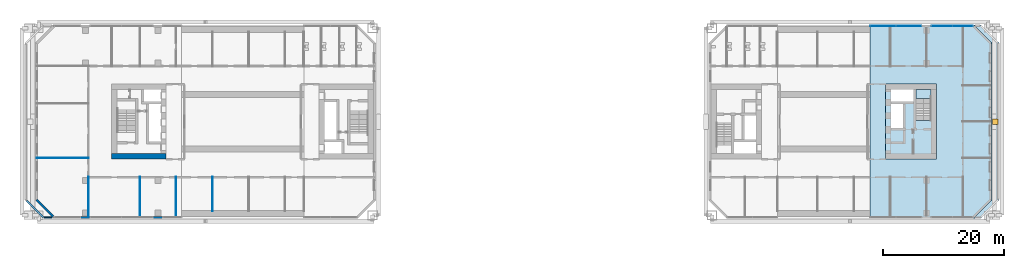
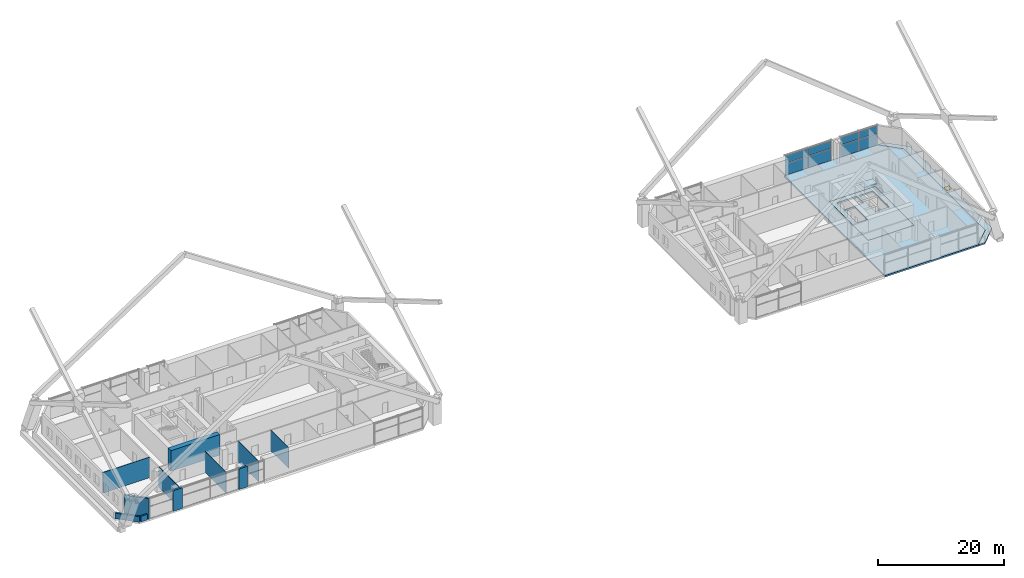
# One storey, part 16 of 25: 11 walls, 8 plates, 4 slabs, 1 window, 1 opening, 3 elements without a shape of their own.
"""IFC4 building model written with IfcOpenShell, lengths in metres."""

from ifc_helpers import new_model, si_unit, direction, frame, frame_2d, origin, origin_2d, place, context, subcontext, project, spatial, polyline, rectangle, outline, extrude, material, layer, layer_set, type_object, element, fill, aggregate, save


model = new_model("IFC4")

# Units and contexts
model_context = context("Model", 3, precision=1e-05, world=origin(), true_north=direction((0.0, 1.0)))
body_context = subcontext(model_context, "Body", "Model", "MODEL_VIEW")
ifc_project = project(units=[si_unit("LENGTHUNIT", "METRE"), si_unit("AREAUNIT", "SQUARE_METRE"), si_unit("VOLUMEUNIT", "CUBIC_METRE"), si_unit("PLANEANGLEUNIT", "RADIAN"), si_unit("MASSUNIT", "GRAM", prefix="KILO")], contexts=[model_context])

# Site, building, storey
site_placement = place(None, origin())
site = spatial("IfcSite", under=ifc_project, at=site_placement, CompositionType="ELEMENT")
building_placement = place(site_placement, origin())
building = spatial("IfcBuilding", under=site, at=building_placement, Name="Tuart Gate Housing", CompositionType="ELEMENT")
storey_placement = place(building_placement, frame((0.0, 0.0, 14.699951171875)))
storey = spatial("IfcBuildingStorey", under=building, at=storey_placement, Name="L03", CompositionType="ELEMENT", Elevation=14.699951171875)

# Slabs
ifc_material_1 = material(Name="Concrete C40", Category="concrete")
ifc_layer_1 = layer(ifc_material_1, 0.300048828125)
ifc_layer_set_1 = layer_set([ifc_layer_1], Name="Core floor slab 300")
slab_type_1 = type_object("IfcSlabType", Name="Core floor slab 300", PredefinedType="FLOOR", material=ifc_layer_set_1)
slab_1_placement = place(storey_placement, frame((0.0, 0.0, -0.300048828125)))
element("IfcSlab", 1, at=slab_1_placement, inside=storey, type_object=slab_type_1, Name="Core floor BK", PredefinedType="FLOOR", context=body_context, shape_type="SweptSolid", body=[
    extrude(outline(polyline([(160.239990234375, 63.800048828125), (168.639892578125, 63.800048828125), (168.639892578125, 76.199951171875), (160.239990234375, 76.199951171875), (160.239990234375, 63.800048828125)]), holes=[polyline([(161.139892578125, 73.14990234375), (164.840087890625, 73.14990234375), (164.840087890625, 75.300048828125), (161.139892578125, 75.300048828125), (161.139892578125, 73.14990234375)]), polyline([(161.139892578125, 68.949951171875), (163.090087890625, 68.949951171875), (163.090087890625, 72.949951171875), (161.139892578125, 72.949951171875), (161.139892578125, 68.949951171875)]), polyline([(165.239990234375, 70.219970703125), (167.739990234375, 70.219970703125), (167.739990234375, 75.300048828125), (165.239990234375, 75.300048828125), (165.239990234375, 70.219970703125)])]), origin(), (0.0, 0.0, 1.0), 0.300048828125),
])
ifc_material_2 = material(Name="Concrete C40", Category="concrete")
ifc_layer_2 = layer(ifc_material_2, 0.300048828125)
ifc_layer_set_2 = layer_set([ifc_layer_2], Name="Flat plate 300")
slab_type_2 = type_object("IfcSlabType", Name="Flat plate 300", PredefinedType="FLOOR", material=ifc_layer_set_2)
slab_2_placement = place(storey_placement, frame((0.0, 0.0, -0.300048828125)))
element("IfcSlab", 2, at=slab_2_placement, inside=storey, type_object=slab_type_2, Name="Floor slab B east of the arch L03", PredefinedType="FLOOR", context=body_context, shape_type="SweptSolid", body=[
    extrude(outline(polyline([(174.75, 86.0), (157.64990234375, 86.0), (157.64990234375, 54.0), (174.75, 54.0), (177.75, 57.0), (177.75, 83.0), (174.75, 86.0)]), holes=[polyline([(160.239990234375, 76.199951171875), (168.639892578125, 76.199951171875), (168.639892578125, 63.800048828125), (160.239990234375, 63.800048828125), (160.239990234375, 76.199951171875)])]), origin(), (0.0, 0.0, 1.0), 0.300048828125),
])

# Curtain wall, plates
ifc_material_3 = material(Name="Aluminium and clear glass", Category="aluminium")
curtain_wall_type = type_object("IfcCurtainWallType", Name="Community floor glazing", PredefinedType="USERDEFINED", material=ifc_material_3)
curtain_wall_1_placement = place(storey_placement, origin())
curtain_wall_1 = element("IfcCurtainWall", 3, at=curtain_wall_1_placement, inside=storey, type_object=curtain_wall_type, Name="Community floor glazing B-N L03", ObjectType="COMMUNITY FLOOR GLAZING", PredefinedType="USERDEFINED")
ifc_material_4 = material(Name="Clear glass", Category="glass")
ifc_layer_3 = layer(ifc_material_4, 0.028076171875)
ifc_layer_set_3 = layer_set([ifc_layer_3], Name="Glazed panel 28")
plate_type = type_object("IfcPlateType", Name="Glazed panel 28", PredefinedType="CURTAIN_PANEL", material=ifc_layer_set_3)
plate_1_placement = place(storey_placement, frame((172.941650390625, 85.820068359375, 0.1201171875), z_axis=(0.0, 0.0, 1.0), x_axis=(-1.0, 0.0, 0.0)))
plate_1 = element("IfcPlate", 4, at=plate_1_placement, type_object=plate_type, Name="CW3 panel 1.1", PredefinedType="CURTAIN_PANEL", context=body_context, shape_type="SweptSolid", body=[
    extrude(rectangle(XDim=3.34765625, YDim=0.028076171875, at=origin_2d()), origin(), (0.0, 0.0, 1.0), 2.219970703125),
])
plate_2_placement = place(storey_placement, frame((172.941650390625, 85.820068359375, 2.460205078125), z_axis=(0.0, 0.0, 1.0), x_axis=(-1.0, 0.0, 0.0)))
plate_2 = element("IfcPlate", 5, at=plate_2_placement, type_object=plate_type, Name="CW3 panel 1.2", PredefinedType="CURTAIN_PANEL", context=body_context, shape_type="SweptSolid", body=[
    extrude(rectangle(XDim=3.34765625, YDim=0.028076171875, at=origin_2d()), origin(), (0.0, 0.0, 1.0), 1.419921875),
])
plate_3_placement = place(storey_placement, frame((169.533935546875, 85.820068359375, 0.1201171875), z_axis=(0.0, 0.0, 1.0), x_axis=(-1.0, 0.0, 0.0)))
plate_3 = element("IfcPlate", 6, at=plate_3_placement, type_object=plate_type, Name="CW3 panel 2.1", PredefinedType="CURTAIN_PANEL", context=body_context, shape_type="SweptSolid", body=[
    extrude(rectangle(XDim=3.34765625, YDim=0.028076171875, at=origin_2d()), origin(), (0.0, 0.0, 1.0), 2.219970703125),
])
plate_4_placement = place(storey_placement, frame((169.533935546875, 85.820068359375, 2.460205078125), z_axis=(0.0, 0.0, 1.0), x_axis=(-1.0, 0.0, 0.0)))
plate_4 = element("IfcPlate", 7, at=plate_4_placement, type_object=plate_type, Name="CW3 panel 2.2", PredefinedType="CURTAIN_PANEL", context=body_context, shape_type="SweptSolid", body=[
    extrude(rectangle(XDim=3.34765625, YDim=0.028076171875, at=origin_2d()), origin(), (0.0, 0.0, 1.0), 1.419921875),
])
aggregate(curtain_wall_1, [plate_1, plate_2, plate_3, plate_4])

curtain_wall_2_placement = place(storey_placement, origin())
curtain_wall_2 = element("IfcCurtainWall", 8, at=curtain_wall_2_placement, inside=storey, type_object=curtain_wall_type, Name="Community floor glazing B-N L03", ObjectType="COMMUNITY FLOOR GLAZING", PredefinedType="USERDEFINED")
plate_5_placement = place(storey_placement, frame((164.047607421875, 85.820068359375, 0.1201171875), z_axis=(0.0, 0.0, 1.0), x_axis=(-1.0, 0.0, 0.0)))
plate_5 = element("IfcPlate", 9, at=plate_5_placement, type_object=plate_type, Name="CW3 panel 1.1", PredefinedType="CURTAIN_PANEL", context=body_context, shape_type="SweptSolid", body=[
    extrude(rectangle(XDim=4.18505859375, YDim=0.028076171875, at=origin_2d()), origin(), (0.0, 0.0, 1.0), 2.219970703125),
])
plate_6_placement = place(storey_placement, frame((164.047607421875, 85.820068359375, 2.460205078125), z_axis=(0.0, 0.0, 1.0), x_axis=(-1.0, 0.0, 0.0)))
plate_6 = element("IfcPlate", 10, at=plate_6_placement, type_object=plate_type, Name="CW3 panel 1.2", PredefinedType="CURTAIN_PANEL", context=body_context, shape_type="SweptSolid", body=[
    extrude(rectangle(XDim=4.18505859375, YDim=0.028076171875, at=origin_2d()), origin(), (0.0, 0.0, 1.0), 1.419921875),
])
plate_7_placement = place(storey_placement, frame((159.802490234375, 85.820068359375, 0.1201171875), z_axis=(0.0, 0.0, 1.0), x_axis=(-1.0, 0.0, 0.0)))
plate_7 = element("IfcPlate", 11, at=plate_7_placement, type_object=plate_type, Name="CW3 panel 2.1", PredefinedType="CURTAIN_PANEL", context=body_context, shape_type="SweptSolid", body=[
    extrude(rectangle(XDim=4.18505859375, YDim=0.028076171875, at=origin_2d()), origin(), (0.0, 0.0, 1.0), 2.219970703125),
])
plate_8_placement = place(storey_placement, frame((159.802490234375, 85.820068359375, 2.460205078125), z_axis=(0.0, 0.0, 1.0), x_axis=(-1.0, 0.0, 0.0)))
plate_8 = element("IfcPlate", 12, at=plate_8_placement, type_object=plate_type, Name="CW3 panel 2.2", PredefinedType="CURTAIN_PANEL", context=body_context, shape_type="SweptSolid", body=[
    extrude(rectangle(XDim=4.18505859375, YDim=0.028076171875, at=origin_2d()), origin(), (0.0, 0.0, 1.0), 1.419921875),
])
aggregate(curtain_wall_2, [plate_5, plate_6, plate_7, plate_8])

# Slab, opening, window
ifc_material_5 = material(Name="Concrete C40", Category="concrete")
ifc_layer_4 = layer(ifc_material_5, 0.300048828125)
ifc_layer_set_4 = layer_set([ifc_layer_4], Name="Roof slab 300")
slab_type_3 = type_object("IfcSlabType", Name="Roof slab 300", PredefinedType="ROOF", material=ifc_layer_set_4)
slab_3_placement = place(storey_placement, frame((0.0, 0.0, -0.300048828125)))
slab_3 = element("IfcSlab", 13, at=slab_3_placement, inside=storey, type_object=slab_type_3, Name="Setback roof slab B L03", PredefinedType="ROOF", context=body_context, shape_type="SweptSolid", body=[
    extrude(outline(polyline([(176.0, 86.0), (174.75, 86.0), (177.75, 83.0), (177.75, 57.0), (174.75, 54.0), (176.0, 54.0), (179.0, 57.0), (179.0, 83.0), (176.0, 86.0)])), origin(), (0.0, 0.0, 1.0), 0.300048828125),
])
opening_placement = place(slab_3_placement, frame((178.375, 70.0, 0.0)))
opening = element("IfcOpeningElement", 14, at=opening_placement, cuts=slab_3, Name="Opening RH1", PredefinedType="OPENING", context=body_context, shape_type="SweptSolid", body=[
    extrude(rectangle(XDim=0.89990234375, YDim=0.89990234375, at=origin_2d()), frame((0.0, 0.0, -0.010009765625)), (0.0, 0.0, 1.0), 0.320068359375),
])
ifc_material_6 = material(Name="Aluminium frame with clear glass", Category="aluminium")
window_type = type_object("IfcWindowType", Name="Roof hatch 900 x 900", PartitioningType="SINGLE_PANEL", PredefinedType="SKYLIGHT", material=ifc_material_6)
window_placement = place(opening_placement, frame((0.0, 0.0, 0.25)))
window = element("IfcWindow", 15, at=window_placement, inside=storey, type_object=window_type, Name="Roof hatch", OverallHeight=0.89990234375, OverallWidth=0.89990234375, PartitioningType="SINGLE_PANEL", PredefinedType="SKYLIGHT", context=body_context, shape_type="SweptSolid", body=[
    extrude(rectangle(XDim=0.89990234375, YDim=0.89990234375, at=origin_2d()), origin(), (0.0, 0.0, 1.0), 0.050048828125),
])
fill(opening, window)

# Stair, slab
ifc_material_7 = material(Name="Concrete C40", Category="concrete")
stair_type = type_object("IfcStairType", Name="Core stair 1250", PredefinedType="HALF_TURN_STAIR", material=ifc_material_7)
stair_placement = place(storey_placement, origin())
stair = element("IfcStair", 16, at=stair_placement, inside=storey, type_object=stair_type, Name="Stair SB2", PredefinedType="HALF_TURN_STAIR")
ifc_material_8 = material(Name="Concrete C40", Category="concrete")
ifc_layer_5 = layer(ifc_material_8, 0.199951171875)
ifc_layer_set_5 = layer_set([ifc_layer_5], Name="Stair landing 200")
slab_type_4 = type_object("IfcSlabType", Name="Stair landing 200", PredefinedType="LANDING", material=ifc_layer_set_5)
slab_4_placement = place(storey_placement, frame((0.0, 0.0, 2.199951171875)))
slab_4 = element("IfcSlab", 17, at=slab_4_placement, type_object=slab_type_4, Name="SB2 landing 1", PredefinedType="LANDING", context=body_context, shape_type="SweptSolid", body=[
    extrude(outline(polyline([(165.239990234375, 73.840087890625), (167.739990234375, 73.840087890625), (167.739990234375, 75.300048828125), (165.239990234375, 75.300048828125), (165.239990234375, 73.840087890625)])), origin(), (0.0, 0.0, 1.0), 0.2001953125),
])
aggregate(stair, [slab_4])

# Walls
ifc_material_9 = material(Name="Brick", Category="masonry")
ifc_layer_6 = layer(ifc_material_9, 0.300048828125)
ifc_layer_set_6 = layer_set([ifc_layer_6], Name="Brick parapet wall 300")
wall_type_1 = type_object("IfcWallType", Name="Brick parapet wall 300", PredefinedType="PARAPET", material=ifc_layer_set_6)
wall_1_placement = place(storey_placement, frame((18.257568359375, 56.95458984375, 0.0), z_axis=(0.0, 0.0, 1.0), x_axis=(0.70707600329, -0.707137557743, 0.0)))
element("IfcWall", 18, at=wall_1_placement, inside=storey, type_object=wall_type_1, Name="Roof parapet A 4", PredefinedType="PARAPET", context=body_context, shape_type="SweptSolid", body=[
    extrude(rectangle(XDim=3.96630859375, YDim=0.300048828125, at=frame_2d((1.983154296875, 0.0))), origin(), (0.0, 0.0, 1.0), 1.10009765625),
])
wall_2_placement = place(storey_placement, frame((21.214111328125, 54.14990234375, 0.0), z_axis=(0.0, 0.0, 1.0), x_axis=(1.0, 0.0, 0.0)))
element("IfcWall", 19, at=wall_2_placement, inside=storey, type_object=wall_type_1, Name="Roof parapet A 5", PredefinedType="PARAPET", context=body_context, shape_type="SweptSolid", body=[
    extrude(rectangle(XDim=1.23583984375, YDim=0.300048828125, at=frame_2d((0.617919921875, 0.0))), origin(), (0.0, 0.0, 1.0), 1.10009765625),
])
ifc_material_10 = material(Name="Brick", Category="masonry")
ifc_layer_7 = layer(ifc_material_10, 0.360107421875)
ifc_layer_set_7 = layer_set([ifc_layer_7], Name="Brick pier and spandrel wall 360")
wall_type_2 = type_object("IfcWallType", Name="Brick pier and spandrel wall 360", PredefinedType="STANDARD", material=ifc_layer_set_7)
wall_3_placement = place(storey_placement, frame((19.929931640625, 57.07470703125, 0.0), z_axis=(0.0, 0.0, 1.0), x_axis=(0.707106781187, -0.707106781187, 0.0)))
element("IfcWall", 20, at=wall_3_placement, inside=storey, type_object=wall_type_2, Name="External wall A-SW L03", PredefinedType="STANDARD", context=body_context, shape_type="SweptSolid", body=[
    extrude(rectangle(XDim=4.09375, YDim=0.360107421875, at=frame_2d((2.046875, 0.0))), origin(), (0.0, 0.0, 1.0), 4.0),
])
for number, where, z_axis, x_axis, name in (
    (21, (27.199951171875, 54.179931640625, 0.0), (0.0, 0.0, 1.0), (1.0, 0.0, 0.0), "External wall A-S L03"),
    (22, (39.199951171875, 54.179931640625, 0.0), (0.0, 0.0, 1.0), (1.0, 0.0, 0.0), "External wall A-S L03"),
):
    element("IfcWall", number, at=place(storey_placement, frame(where, z_axis=z_axis, x_axis=x_axis)), inside=storey, type_object=wall_type_2, Name=name, PredefinedType="STANDARD", context=body_context, shape_type="SweptSolid", body=[
        extrude(rectangle(XDim=1.60009765625, YDim=0.360107421875, at=frame_2d((0.800048828125, 0.0))), origin(), (0.0, 0.0, 1.0), 4.0),
    ])
ifc_material_11 = material(Name="Concrete C60", Category="concrete")
ifc_layer_8 = layer(ifc_material_11, 0.89990234375)
ifc_layer_set_8 = layer_set([ifc_layer_8], Name="Core wall 900 C60")
wall_type_3 = type_object("IfcWallType", Name="Core wall 900 C60", PredefinedType="SHEAR", material=ifc_layer_set_8)
wall_4_placement = place(storey_placement, frame((41.360107421875, 64.25, 0.0), z_axis=(0.0, 0.0, 1.0), x_axis=(-1.0, 0.0, 0.0)))
element("IfcWall", 23, at=wall_4_placement, inside=storey, type_object=wall_type_3, Name="Core wall AK north", PredefinedType="SHEAR", context=body_context, shape_type="SweptSolid", body=[
    extrude(rectangle(XDim=9.0, YDim=0.89990234375, at=frame_2d((4.5, 0.0))), origin(), (0.0, 0.0, 1.0), 4.0),
])
ifc_material_12 = material(Name="Gypsum board on steel studs", Category="steel")
ifc_layer_9 = layer(ifc_material_12, 0.10009765625)
ifc_layer_set_9 = layer_set([ifc_layer_9], Name="Partition 100")
wall_type_4 = type_object("IfcWallType", Name="Partition 100", PredefinedType="PARTITIONING", material=ifc_layer_set_9)
wall_5_placement = place(storey_placement, frame((19.989990234375, 64.0, 0.0), z_axis=(0.0, 0.0, 1.0), x_axis=(1.0, 0.0, 0.0)))
element("IfcWall", 24, at=wall_5_placement, inside=storey, type_object=wall_type_4, Name="Partition 100", PredefinedType="PARTITIONING", context=body_context, shape_type="SweptSolid", body=[
    extrude(rectangle(XDim=8.610107421875, YDim=0.10009765625, at=frame_2d((4.30517578125, 0.0))), origin(), (0.0, 0.0, 1.0), 4.0),
])
for number, where, z_axis, x_axis, name in (
    (25, (28.5, 54.239990234375, 0.0), (0.0, 0.0, 1.0), (0.0, 1.0, 0.0), "Partition 100"),
    (26, (37.0, 54.239990234375, 0.0), (0.0, 0.0, 1.0), (0.0, 1.0, 0.0), "Partition 100"),
    (27, (43.0, 54.239990234375, 0.0), (0.0, 0.0, 1.0), (0.0, 1.0, 0.0), "Partition 100"),
):
    element("IfcWall", number, at=place(storey_placement, frame(where, z_axis=z_axis, x_axis=x_axis)), inside=storey, type_object=wall_type_4, Name=name, PredefinedType="PARTITIONING", context=body_context, shape_type="SweptSolid", body=[
        extrude(rectangle(XDim=6.659912109375, YDim=0.10009765625, at=frame_2d((3.330078125, 0.0))), origin(), (0.0, 0.0, 1.0), 4.0),
    ])
wall_6_placement = place(storey_placement, frame((49.0, 55.179931640625, 0.0), z_axis=(0.0, 0.0, 1.0), x_axis=(0.0, 1.0, 0.0)))
element("IfcWall", 28, at=wall_6_placement, inside=storey, type_object=wall_type_4, Name="Partition 100", PredefinedType="PARTITIONING", context=body_context, shape_type="SweptSolid", body=[
    extrude(rectangle(XDim=5.719970703125, YDim=0.10009765625, at=frame_2d((2.85986328125, 0.0))), origin(), (0.0, 0.0, 1.0), 4.0),
])

save(model, "model.ifc")
